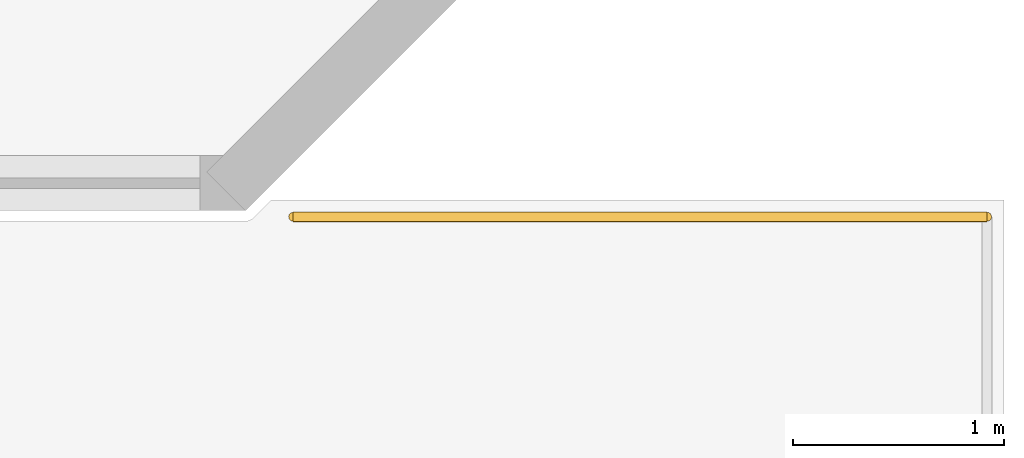
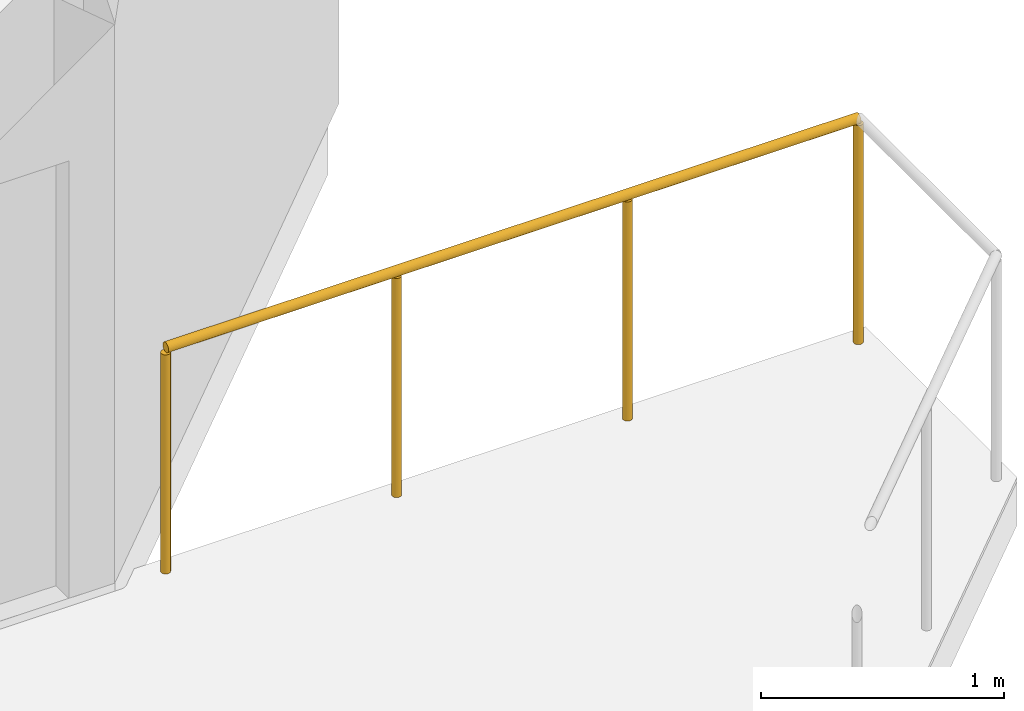
# One storey, part 37 of 37: 1 railing.
"""IFC4 building model written with IfcOpenShell, lengths in metres."""

import ifcopenshell
import ifcopenshell.guid

model = None  # the IFC model being written
_history = None  # IfcOwnerHistory: only IFC2X3 demands one
_inside = {}  # id of a spatial element -> (the spatial element, [elements in it])
_under = {}  # id of a project, library or spatial element -> (it, [spatial elements below it])
_declared = {}  # id of a project -> (the project, [libraries it declares])
_typed = {}  # id of a type object -> (the type object, [elements of that type])
_made_of = {}  # id of a material, layer set ... -> (it, [elements and type objects made of it])


def new_model(schema):
    """Start an empty IFC model of exactly this schema.

    Asked for "IFC4X3", IfcOpenShell would pick the latest addendum, in which some entities
    have other attributes; the version numbers below select the first issue.
    IFC2X3 requires an IfcOwnerHistory on every rooted entity: one is made here for all.
    """
    global model, _history
    if schema == "IFC4X3":
        model = ifcopenshell.file(schema_version=(4, 3, 0, 0))
    else:
        model = ifcopenshell.file(schema=schema)
    _inside.clear()
    _under.clear()
    _declared.clear()
    _typed.clear()
    _made_of.clear()
    _history = None
    if model.schema == "IFC2X3":
        org = make("IfcOrganization", Name="unknown")
        user = make(
            "IfcPersonAndOrganization",
            ThePerson=make("IfcPerson", FamilyName="unknown"),
            TheOrganization=org,
        )
        app = make(
            "IfcApplication",
            ApplicationDeveloper=org,
            Version="unknown",
            ApplicationFullName="unknown",
            ApplicationIdentifier="unknown",
        )
        _history = make(
            "IfcOwnerHistory",
            OwningUser=user,
            OwningApplication=app,
            ChangeAction="ADDED",
            CreationDate=0,
        )
    return model


def make(cls, **values):
    """One entity of the class cls with the attributes given. An attribute that is None is left unset."""
    return model.create_entity(
        cls, **{name: value for name, value in values.items() if value is not None}
    )


def rooted(cls, **values):
    """An entity with a GlobalId (a new one), such as an element, a storey or a relation."""
    return make(cls, GlobalId=ifcopenshell.guid.new(), OwnerHistory=_history, **values)


def si_unit(unit_type, name, prefix=None):
    """IfcSIUnit, for example si_unit("LENGTHUNIT", "METRE", prefix="MILLI")."""
    return make("IfcSIUnit", UnitType=unit_type, Prefix=prefix, Name=name)


def assignment(units):
    """IfcUnitAssignment: the units of a project."""
    return None if units is None else make("IfcUnitAssignment", Units=units)


def point(xyz):
    """IfcCartesianPoint."""
    return None if xyz is None else make("IfcCartesianPoint", Coordinates=xyz)


def direction(xyz):
    """IfcDirection."""
    return None if xyz is None else make("IfcDirection", DirectionRatios=xyz)


def frame(location, z_axis=None, x_axis=None):
    """IfcAxis2Placement3D, a coordinate frame: its origin and axes. An axis left out is left unset."""
    return make(
        "IfcAxis2Placement3D",
        Location=point(location),
        Axis=direction(z_axis),
        RefDirection=direction(x_axis),
    )


def frame_2d(location, x_axis=None):
    """IfcAxis2Placement2D, a coordinate frame in the plane: its origin and x axis."""
    return make(
        "IfcAxis2Placement2D", Location=point(location), RefDirection=direction(x_axis)
    )


def origin():
    """The frame at (0, 0, 0) with its axes left unset."""
    return frame((0.0, 0.0, 0.0))


def origin_2d():
    """The frame at (0, 0) in the plane with its x axis left unset."""
    return frame_2d((0.0, 0.0))


def place(relative_to, where):
    """IfcLocalPlacement: puts the frame where relative to a parent placement (None: the world)."""
    return make(
        "IfcLocalPlacement", PlacementRelTo=relative_to, RelativePlacement=where
    )


def context(
    kind, dimensions, precision=None, world=None, true_north=None, identifier=None
):
    """IfcGeometricRepresentationContext, for example the 3D "Model" context."""
    return make(
        "IfcGeometricRepresentationContext",
        ContextIdentifier=identifier,
        ContextType=kind,
        CoordinateSpaceDimension=dimensions,
        Precision=precision,
        WorldCoordinateSystem=world,
        TrueNorth=true_north,
    )


def subcontext(parent, identifier, kind, view, scale=None):
    """IfcGeometricRepresentationSubContext, for example "Body" below "Model"."""
    return make(
        "IfcGeometricRepresentationSubContext",
        ContextIdentifier=identifier,
        ContextType=kind,
        ParentContext=parent,
        TargetScale=scale,
        TargetView=view,
    )


def project(units=None, contexts=None):
    """IfcProject with its units and contexts."""
    return rooted(
        "IfcProject",
        Name="project",
        RepresentationContexts=contexts,
        UnitsInContext=assignment(units),
    )


def spatial(cls, under=None, at=None, **own):
    """A site, building, storey or space (cls), placed at a placement, below another one or the project."""
    s = rooted(cls, ObjectPlacement=at, **own)
    if under is not None:
        _under.setdefault(under.id(), (under, []))[1].append(s)
    return s


def profile(cls, at=None, kind="AREA", **sizes):
    """A parametric profile (cls). Its sizes go by their IFC names, for example OverallWidth=200.0."""
    return make(cls, ProfileType=kind, Position=at, **sizes)


def circle(**sizes):
    """IfcCircleProfileDef."""
    return profile("IfcCircleProfileDef", **sizes)


def extrude(swept, where, along, depth):
    """IfcExtrudedAreaSolid: the profile swept, set in the frame where, extruded along a direction by depth."""
    return make(
        "IfcExtrudedAreaSolid",
        SweptArea=swept,
        Position=where,
        ExtrudedDirection=direction(along),
        Depth=depth,
    )


def shape(context_of_items, identifier, shape_type, items):
    """IfcShapeRepresentation: the items that make up one representation, for example the "Body"."""
    return make(
        "IfcShapeRepresentation",
        ContextOfItems=context_of_items,
        RepresentationIdentifier=identifier,
        RepresentationType=shape_type,
        Items=items,
    )


def material(Name=None, Category=None):
    """IfcMaterial."""
    return make("IfcMaterial", Name=Name, Category=Category)


def made_of(thing, what):
    """Note that an element or type object is made of a material, layer set ...; save() writes the relation."""
    if what is not None:
        _made_of.setdefault(what.id(), (what, []))[1].append(thing)
    return thing


def type_object(cls, material=None, **own):
    """A type object (cls), such as IfcWallType, which elements share."""
    return made_of(rooted(cls, **own), material)


def element(
    cls,
    number,
    at=None,
    inside=None,
    cuts=None,
    type_object=None,
    material=None,
    context=None,
    identifier="Body",
    shape_type=None,
    held_by="IfcProductDefinitionShape",
    body=None,
    shapes=None,
    **own,
):
    """One element of the class cls, such as IfcWall. Its Tag is "e" and its number.

    at: its placement. inside: the storey or other place that contains it. cuts: it is an
    opening in that element (IfcRelVoidsElement). A single representation is given by context,
    identifier, shape_type and body (its items); several are given by shapes. held_by: the class
    of the entity that holds the representations. save() writes the other relations.
    """
    e = rooted(cls, Tag="e%d" % number, ObjectPlacement=at, **own)
    if body is not None:
        shapes = [shape(context, identifier, shape_type, body)]
    if shapes is not None:
        e.Representation = make(held_by, Representations=shapes)
    if inside is not None:
        _inside.setdefault(inside.id(), (inside, []))[1].append(e)
    if cuts is not None:
        rooted(
            "IfcRelVoidsElement", RelatingBuildingElement=cuts, RelatedOpeningElement=e
        )
    if type_object is not None:
        _typed.setdefault(type_object.id(), (type_object, []))[1].append(e)
    return made_of(e, material)


def aggregate(whole, parts):
    """IfcRelAggregates: a whole, such as a stair, and the parts it consists of."""
    return rooted("IfcRelAggregates", RelatingObject=whole, RelatedObjects=parts)


def save(model, path):
    """Write the relations noted so far, then the file.

    IfcRelAggregates (storeys below a building ...), IfcRelContainedInSpatialStructure (elements
    in a storey), IfcRelDefinesByType, IfcRelAssociatesMaterial and IfcRelDeclares: one each for
    every whole, place, type object, material and project.
    """
    for whole, parts in _under.values():
        aggregate(whole, parts)
    for where, things in _inside.values():
        rooted(
            "IfcRelContainedInSpatialStructure",
            RelatedElements=things,
            RelatingStructure=where,
        )
    for kind, things in _typed.values():
        rooted("IfcRelDefinesByType", RelatedObjects=things, RelatingType=kind)
    for what, things in _made_of.values():
        rooted("IfcRelAssociatesMaterial", RelatedObjects=things, RelatingMaterial=what)
    for by, libraries in _declared.values():
        rooted("IfcRelDeclares", RelatingContext=by, RelatedDefinitions=libraries)
    model.write(path)


model = new_model("IFC4")

# Units and contexts
model_context = context("Model", 3, precision=1e-05, world=origin(), true_north=direction((0.0, 1.0)))
body_context = subcontext(model_context, "Body", "Model", "MODEL_VIEW")
ifc_project = project(units=[si_unit("LENGTHUNIT", "METRE"), si_unit("AREAUNIT", "SQUARE_METRE"), si_unit("VOLUMEUNIT", "CUBIC_METRE"), si_unit("PLANEANGLEUNIT", "RADIAN"), si_unit("MASSUNIT", "GRAM", prefix="KILO")], contexts=[model_context])

# Site, building, storey
site_placement = place(None, origin())
site = spatial("IfcSite", under=ifc_project, at=site_placement, CompositionType="ELEMENT")
building_placement = place(site_placement, origin())
building = spatial("IfcBuilding", under=site, at=building_placement, Name="Haolan Belvedere Tower", CompositionType="ELEMENT")
storey_placement = place(building_placement, frame((0.0, 0.0, 10.199951171875)))
storey = spatial("IfcBuildingStorey", under=building, at=storey_placement, Name="L02", CompositionType="ELEMENT", Elevation=10.199951171875)

# Railing
ifc_material = material(Name="Anodised aluminium and laminated glass balustrade", Category="aluminium")
railing_type = type_object("IfcRailingType", Name="RL-TER-BAL-1150", PredefinedType="BALUSTRADE", material=ifc_material)
railing_placement = place(storey_placement, frame((72.224609375, 7.169921875, 0.0)))
element("IfcRailing", 1, at=railing_placement, inside=storey, type_object=railing_type, Name="L02 outdoor perimeter balustrade TERR-L02-1-2", PredefinedType="BALUSTRADE", context=body_context, shape_type="SweptSolid", body=[
    extrude(circle(Radius=0.02392578125, at=origin_2d()), frame((0.0, 0.0, 1.1259765625), z_axis=(1.0, 0.0, 0.0), x_axis=(0.0, 1.0, 0.0)), (0.0, 0.0, 1.0), 3.29541015625),
    extrude(circle(Radius=0.02099609375, at=origin_2d()), origin(), (0.0, 0.0, 1.0), 1.101806640625),
    extrude(circle(Radius=0.02099609375, at=origin_2d()), frame((1.098388671875, 0.0, 0.0)), (0.0, 0.0, 1.0), 1.101806640625),
    extrude(circle(Radius=0.02099609375, at=origin_2d()), frame((2.197021484375, 0.0, 0.0)), (0.0, 0.0, 1.0), 1.101806640625),
    extrude(circle(Radius=0.02099609375, at=origin_2d()), frame((3.29541015625, 0.0, 0.0)), (0.0, 0.0, 1.0), 1.101806640625),
])

save(model, "model.ifc")
